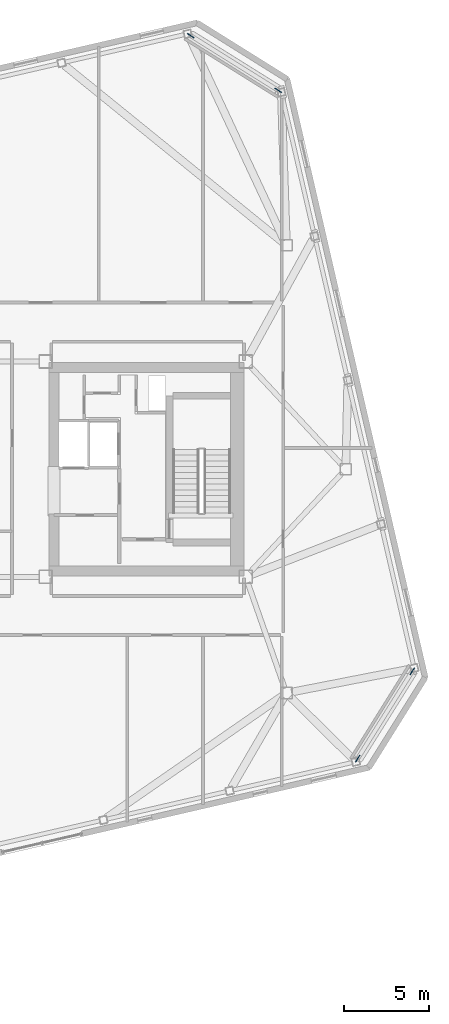
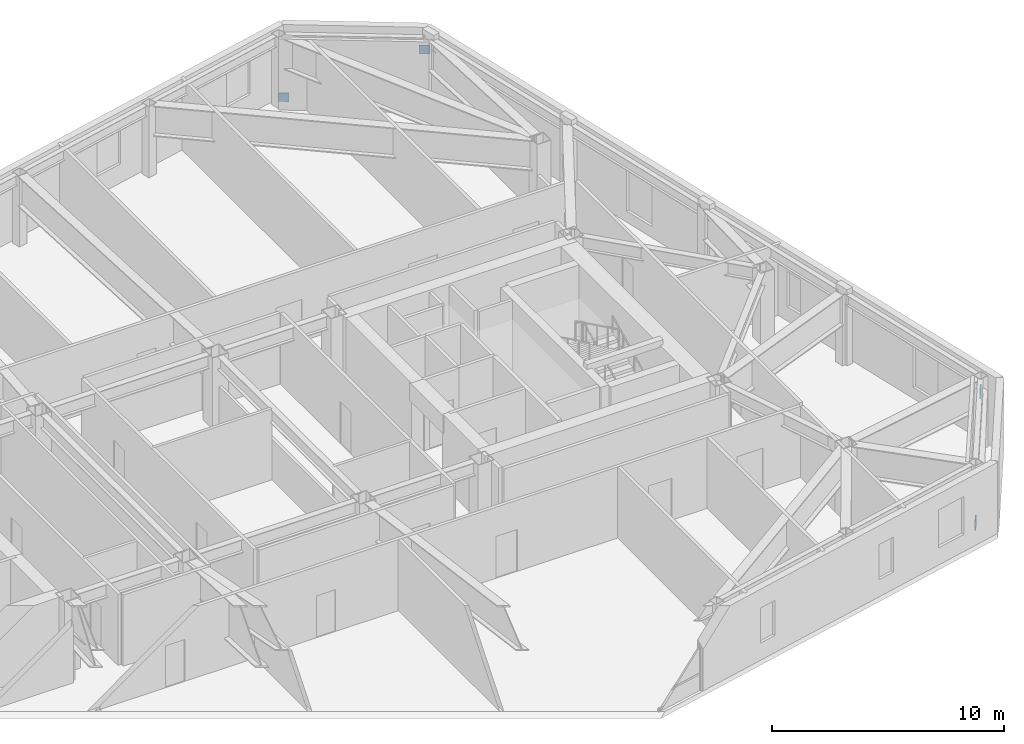
# One storey, part 22 of 23: 4 discrete accessories.
"""IFC4 building model written with IfcOpenShell, lengths in metres."""

from ifc_helpers import new_model, si_unit, direction, frame, origin, origin_2d, place, context, subcontext, project, spatial, rectangle, extrude, material, type_object, element, save


model = new_model("IFC4")

# Units and contexts
model_context = context("Model", 3, precision=1e-05, world=origin(), true_north=direction((0.0, 1.0)))
body_context = subcontext(model_context, "Body", "Model", "MODEL_VIEW")
ifc_project = project(units=[si_unit("LENGTHUNIT", "METRE"), si_unit("AREAUNIT", "SQUARE_METRE"), si_unit("VOLUMEUNIT", "CUBIC_METRE"), si_unit("PLANEANGLEUNIT", "RADIAN"), si_unit("MASSUNIT", "GRAM", prefix="KILO")], contexts=[model_context])

# Site, building, storey
site_placement = place(None, origin())
site = spatial("IfcSite", under=ifc_project, at=site_placement, CompositionType="ELEMENT")
building_placement = place(site_placement, origin())
building = spatial("IfcBuilding", under=site, at=building_placement, Name="Tavrogorsk Clinical Tower", CompositionType="ELEMENT")
storey_placement = place(building_placement, frame((0.0, 0.0, 277.0)))
storey = spatial("IfcBuildingStorey", under=building, at=storey_placement, Name="L64", CompositionType="ELEMENT", Elevation=277.0)

# Discrete accessories
ifc_material = material(Name="Structural steel S440", Category="steel")
discrete_accessory_type = type_object("IfcDiscreteAccessoryType", Name="GussetPlateBracket_25", PredefinedType="BRACKET", material=ifc_material)
for number, where, z_axis, x_axis, name in (
    (1, (28.70166015625, -17.063720703125, 0.163330078125), (0.0, 0.0, 1.0), (0.529919264233, 0.848048096156, 0.0), "L64 Brace Gusset Plate EXOCRN-L64-1-A"),
    (2, (31.9228515625, -11.9091796875, 2.81689453125), (0.0, 0.0, 1.0), (0.529919264233, 0.848048096156, 0.0), "L64 Brace Gusset Plate EXOCRN-L64-1-B"),
    (3, (18.86279296875, 25.55322265625, 0.163330078125), (0.0, 0.0, 1.0), (0.848048096156, -0.529919264233, 0.0), "L64 Brace Gusset Plate EXOCRN-L64-2-A"),
    (4, (24.017578125, 22.332275390625, 2.81689453125), (0.0, 0.0, 1.0), (0.848048096156, -0.529919264233, 0.0), "L64 Brace Gusset Plate EXOCRN-L64-2-B"),
):
    element("IfcDiscreteAccessory", number, at=place(storey_placement, frame(where, z_axis=z_axis, x_axis=x_axis)), inside=storey, type_object=discrete_accessory_type, Name=name, PredefinedType="BRACKET", context=body_context, shape_type="SweptSolid", body=[
        extrude(rectangle(XDim=0.4599609375, YDim=0.0400390625, at=origin_2d()), origin(), (0.0, 0.0, 1.0), 0.4599609375),
    ])

save(model, "model.ifc")
